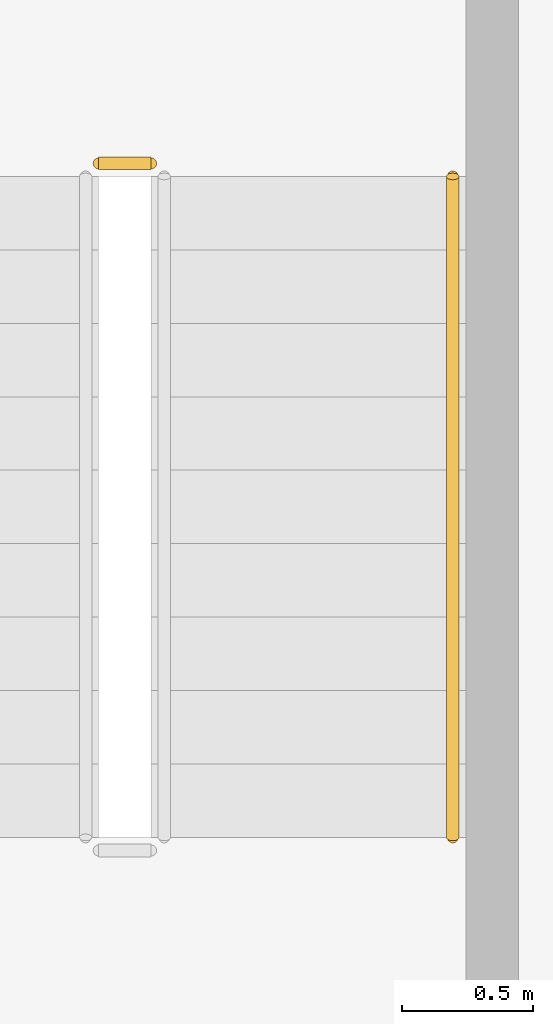
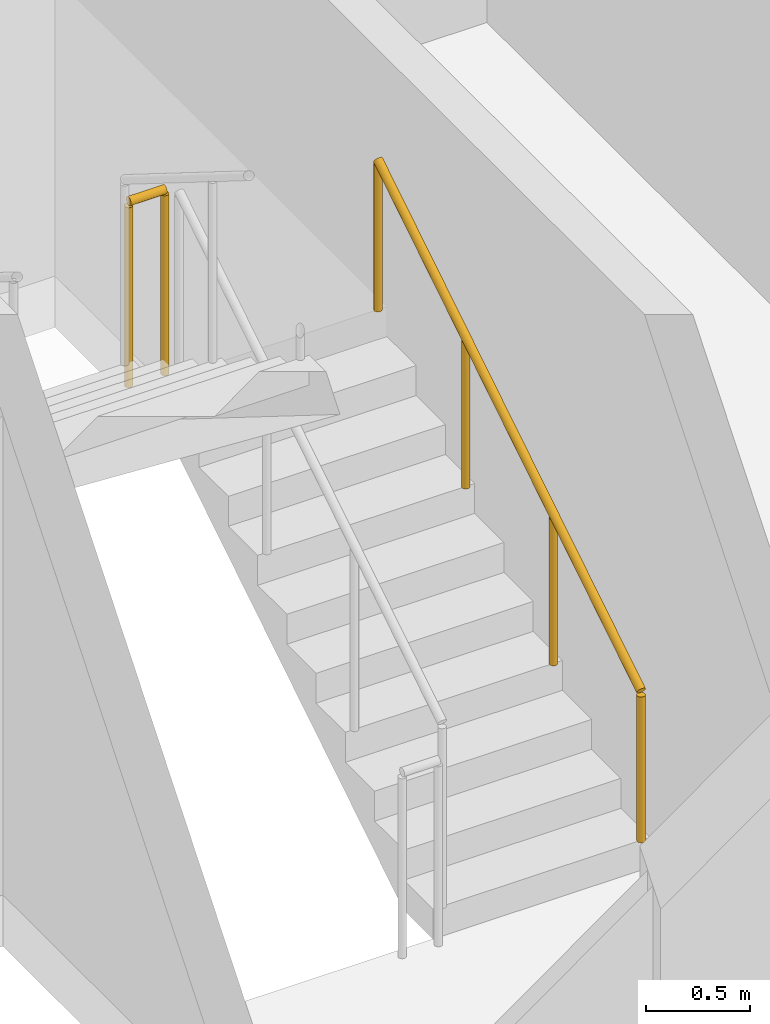
# One storey, part 17 of 22: 2 railings.
"""IFC4 building model written with IfcOpenShell, lengths in metres."""

from ifc_helpers import new_model, si_unit, direction, frame, origin, origin_2d, place, context, subcontext, project, spatial, circle, extrude, material, type_object, element, save


model = new_model("IFC4")

# Units and contexts
model_context = context("Model", 3, precision=1e-05, world=origin(), true_north=direction((0.0, 1.0)))
body_context = subcontext(model_context, "Body", "Model", "MODEL_VIEW")
ifc_project = project(units=[si_unit("LENGTHUNIT", "METRE"), si_unit("AREAUNIT", "SQUARE_METRE"), si_unit("VOLUMEUNIT", "CUBIC_METRE"), si_unit("PLANEANGLEUNIT", "RADIAN"), si_unit("MASSUNIT", "GRAM", prefix="KILO")], contexts=[model_context])

# Site, building, storey
site_placement = place(None, origin())
site = spatial("IfcSite", under=ifc_project, at=site_placement, CompositionType="ELEMENT")
building_placement = place(site_placement, origin())
building = spatial("IfcBuilding", under=site, at=building_placement, Name="Kiln Ring Residences", CompositionType="ELEMENT")
storey_placement = place(building_placement, frame((0.0, 0.0, 171.10009765625)))
storey = spatial("IfcBuildingStorey", under=building, at=storey_placement, Name="L44", CompositionType="ELEMENT", Elevation=171.10009765625)

# Railings
ifc_material_1 = material(Name="Stainless steel", Category="steel")
railing_type_1 = type_object("IfcRailingType", Name="CORE-STAIR-GUARD", PredefinedType="GUARDRAIL", material=ifc_material_1)
railing_1_placement = place(storey_placement, frame((22.199951171875, -5.830078125, 1.75)))
element("IfcRailing", 1, at=railing_1_placement, inside=storey, type_object=railing_type_1, Name="L44 E-STS stair guard 2", PredefinedType="GUARDRAIL", context=body_context, shape_type="SweptSolid", body=[
    extrude(circle(Radius=0.02392578125, at=origin_2d()), frame((0.0, 0.0, 1.076171875), z_axis=(-1.0, 0.0, 0.0), x_axis=(0.0, -1.0, 0.0)), (0.0, 0.0, 1.0), 0.199951171875),
    extrude(circle(Radius=0.02099609375, at=origin_2d()), origin(), (0.0, 0.0, 1.0), 1.052001953125),
    extrude(circle(Radius=0.02099609375, at=origin_2d()), frame((-0.199951171875, 0.0, 0.0)), (0.0, 0.0, 1.0), 1.052001953125),
])
ifc_material_2 = material(Name="Stainless steel", Category="steel")
railing_type_2 = type_object("IfcRailingType", Name="CORE-STAIR-HANDRAIL", PredefinedType="HANDRAIL", material=ifc_material_2)
railing_2_placement = place(storey_placement, frame((23.35009765625, -8.39990234375, 0.1748046875)))
element("IfcRailing", 2, at=railing_2_placement, inside=storey, type_object=railing_type_2, Name="L44 E-STS stair handrail 1", PredefinedType="HANDRAIL", context=body_context, shape_type="SweptSolid", body=[
    extrude(circle(Radius=0.02392578125, at=origin_2d()), frame((0.0, 0.0, 0.8759765625), z_axis=(0.0, 0.847970611238, 0.530043245855), x_axis=(-1.0, 0.0, 0.0)), (0.0, 0.0, 1.0), 2.971923828125),
    extrude(circle(Radius=0.02099609375, at=origin_2d()), origin(), (0.0, 0.0, 1.0), 0.851806640625),
    extrude(circle(Radius=0.02099609375, at=origin_2d()), frame((0.0, 0.840087890625, 0.525146484375)), (0.0, 0.0, 1.0), 0.851806640625),
    extrude(circle(Radius=0.02099609375, at=origin_2d()), frame((0.0, 1.679931640625, 1.050048828125)), (0.0, 0.0, 1.0), 0.851806640625),
    extrude(circle(Radius=0.02099609375, at=origin_2d()), frame((0.0, 2.52001953125, 1.5751953125)), (0.0, 0.0, 1.0), 0.851806640625),
])

save(model, "model.ifc")
